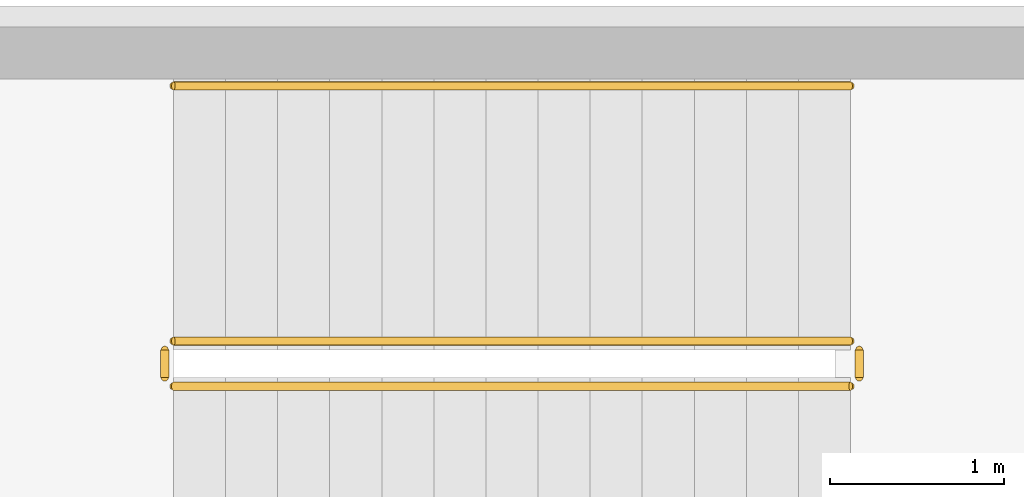
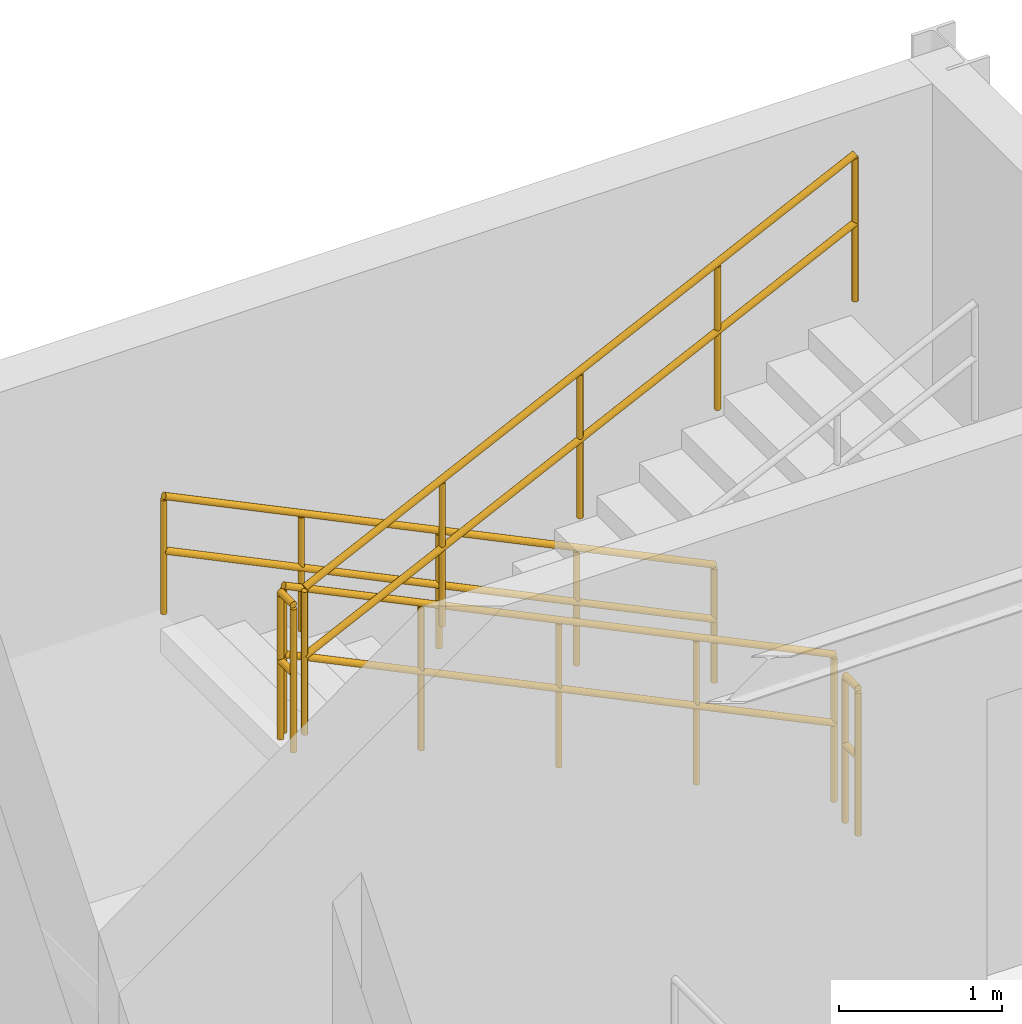
# One storey, part 70 of 70: 5 railings.
"""IFC4 building model written with IfcOpenShell, lengths in metres."""

from ifc_helpers import new_model, si_unit, derived_unit, direction, frame, origin, origin_2d, place, context, subcontext, project, spatial, circle, extrude, material, type_object, element, save


model = new_model("IFC4")

# Units and contexts
model_context = context("Model", 3, precision=1e-05, world=origin(), true_north=direction((0.0, 1.0)))
body_context = subcontext(model_context, "Body", "Model", "MODEL_VIEW")
ifc_project = project(units=[si_unit("LENGTHUNIT", "METRE"), si_unit("AREAUNIT", "SQUARE_METRE"), si_unit("VOLUMEUNIT", "CUBIC_METRE"), si_unit("PLANEANGLEUNIT", "RADIAN"), si_unit("MASSUNIT", "GRAM", prefix="KILO"), derived_unit("THERMALTRANSMITTANCEUNIT", [(si_unit("POWERUNIT", "WATT"), 1), (si_unit("AREAUNIT", "SQUARE_METRE"), -1), (si_unit("THERMODYNAMICTEMPERATUREUNIT", "KELVIN"), -1)])], contexts=[model_context])

# Site, building, storey
site_placement = place(None, origin())
site = spatial("IfcSite", under=ifc_project, at=site_placement, CompositionType="ELEMENT")
building_placement = place(site_placement, origin())
building = spatial("IfcBuilding", under=site, at=building_placement, Name="Yasenodar Specialist Clinic", CompositionType="ELEMENT")
storey_placement = place(building_placement, frame((0.0, 0.0, 13.199951171875)))
storey = spatial("IfcBuildingStorey", under=building, at=storey_placement, Name="L03", CompositionType="ELEMENT", Elevation=13.199951171875)

# Railings
ifc_material_1 = material(Name="Steel S355 Painted Stair Guardrail", Category="steel")
railing_type_1 = type_object("IfcRailingType", Name="RL-ST-GRD", PredefinedType="GUARDRAIL", material=ifc_material_1)
railing_1_placement = place(storey_placement, frame((119.929931640625, 109.7900390625, 0.144775390625)))
element("IfcRailing", 1, at=railing_1_placement, inside=storey, type_object=railing_type_1, Name="L03 ST-05 stair guard 1", PredefinedType="GUARDRAIL", context=body_context, shape_type="SweptSolid", body=[
    extrude(circle(Radius=0.02392578125, at=origin_2d()), frame((0.0, 0.0, 1.09619140625), z_axis=(-0.900763166376, 0.0, 0.434310623978), x_axis=(0.0, -1.0, 0.0)), (0.0, 0.0, 1.0), 4.32958984375),
    extrude(circle(Radius=0.02392578125, at=origin_2d()), frame((0.0, 0.0, 0.58251953125), z_axis=(-0.900763166376, 0.0, 0.434310623978), x_axis=(0.0, -1.0, 0.0)), (0.0, 0.0, 1.0), 4.32958984375),
    extrude(circle(Radius=0.02099609375, at=origin_2d()), origin(), (0.0, 0.0, 1.0), 1.072021484375),
    extrude(circle(Radius=0.02099609375, at=origin_2d()), frame((-0.97509765625, 0.0, 0.47021484375)), (0.0, 0.0, 1.0), 1.072021484375),
    extrude(circle(Radius=0.02099609375, at=origin_2d()), frame((-1.949951171875, 0.0, 0.940185546875)), (0.0, 0.0, 1.0), 1.072021484375),
    extrude(circle(Radius=0.02099609375, at=origin_2d()), frame((-2.9248046875, 0.0, 1.41015625)), (0.0, 0.0, 1.0), 1.072021484375),
    extrude(circle(Radius=0.02099609375, at=origin_2d()), frame((-3.89990234375, 0.0, 1.88037109375)), (0.0, 0.0, 1.0), 1.072021484375),
])
railing_2_placement = place(storey_placement, frame((115.97998046875, 109.739990234375, 2.025146484375)))
element("IfcRailing", 2, at=railing_2_placement, inside=storey, type_object=railing_type_1, Name="L03 ST-05 stair guard 2", PredefinedType="GUARDRAIL", context=body_context, shape_type="SweptSolid", body=[
    extrude(circle(Radius=0.02392578125, at=origin_2d()), frame((0.0, 0.0, 1.09619140625), z_axis=(0.0, -1.0, 0.0), x_axis=(1.0, 0.0, 0.0)), (0.0, 0.0, 1.0), 0.159912109375),
    extrude(circle(Radius=0.02392578125, at=origin_2d()), frame((0.0, 0.0, 0.58251953125), z_axis=(0.0, -1.0, 0.0), x_axis=(1.0, 0.0, 0.0)), (0.0, 0.0, 1.0), 0.159912109375),
    extrude(circle(Radius=0.02099609375, at=origin_2d()), origin(), (0.0, 0.0, 1.0), 1.072021484375),
    extrude(circle(Radius=0.02099609375, at=origin_2d()), frame((0.0, -0.159912109375, 0.0)), (0.0, 0.0, 1.0), 1.072021484375),
])
railing_3_placement = place(storey_placement, frame((116.030029296875, 109.530029296875, 2.169677734375)))
element("IfcRailing", 3, at=railing_3_placement, inside=storey, type_object=railing_type_1, Name="L03 ST-05 stair guard 3", PredefinedType="GUARDRAIL", context=body_context, shape_type="SweptSolid", body=[
    extrude(circle(Radius=0.02392578125, at=origin_2d()), frame((0.0, 0.0, 1.09619140625), z_axis=(0.900763166376, 0.0, 0.434310623978), x_axis=(0.0, 1.0, 0.0)), (0.0, 0.0, 1.0), 4.32958984375),
    extrude(circle(Radius=0.02392578125, at=origin_2d()), frame((0.0, 0.0, 0.58251953125), z_axis=(0.900763166376, 0.0, 0.434310623978), x_axis=(0.0, 1.0, 0.0)), (0.0, 0.0, 1.0), 4.32958984375),
    extrude(circle(Radius=0.02099609375, at=origin_2d()), origin(), (0.0, 0.0, 1.0), 1.072021484375),
    extrude(circle(Radius=0.02099609375, at=origin_2d()), frame((0.97509765625, 0.0, 0.47021484375)), (0.0, 0.0, 1.0), 1.072021484375),
    extrude(circle(Radius=0.02099609375, at=origin_2d()), frame((1.949951171875, 0.0, 0.940185546875)), (0.0, 0.0, 1.0), 1.072021484375),
    extrude(circle(Radius=0.02099609375, at=origin_2d()), frame((2.9248046875, 0.0, 1.41015625)), (0.0, 0.0, 1.0), 1.072021484375),
    extrude(circle(Radius=0.02099609375, at=origin_2d()), frame((3.89990234375, 0.0, 1.88037109375)), (0.0, 0.0, 1.0), 1.072021484375),
])
railing_4_placement = place(storey_placement, frame((119.97998046875, 109.739990234375, 0.0)))
element("IfcRailing", 4, at=railing_4_placement, inside=storey, type_object=railing_type_1, Name="L03 ST-05 stair guard 4", PredefinedType="GUARDRAIL", context=body_context, shape_type="SweptSolid", body=[
    extrude(circle(Radius=0.02392578125, at=origin_2d()), frame((0.0, 0.0, 1.09619140625), z_axis=(0.0, -1.0, 0.0), x_axis=(1.0, 0.0, 0.0)), (0.0, 0.0, 1.0), 0.159912109375),
    extrude(circle(Radius=0.02392578125, at=origin_2d()), frame((0.0, 0.0, 0.58251953125), z_axis=(0.0, -1.0, 0.0), x_axis=(1.0, 0.0, 0.0)), (0.0, 0.0, 1.0), 0.159912109375),
    extrude(circle(Radius=0.02099609375, at=origin_2d()), origin(), (0.0, 0.0, 1.0), 1.072021484375),
    extrude(circle(Radius=0.02099609375, at=origin_2d()), frame((0.0, -0.159912109375, 0.0)), (0.0, 0.0, 1.0), 1.072021484375),
])
ifc_material_2 = material(Name="Brushed Stainless Steel Handrail", Category="steel")
railing_type_2 = type_object("IfcRailingType", Name="RL-ST-HND", PredefinedType="HANDRAIL", material=ifc_material_2)
railing_5_placement = place(storey_placement, frame((119.929931640625, 111.260009765625, 0.144775390625)))
element("IfcRailing", 5, at=railing_5_placement, inside=storey, type_object=railing_type_2, Name="L03 ST-05 stair handrail 1", PredefinedType="HANDRAIL", context=body_context, shape_type="SweptSolid", body=[
    extrude(circle(Radius=0.02392578125, at=origin_2d()), frame((0.0, 0.0, 0.8759765625), z_axis=(-0.900763166376, 0.0, 0.434310623978), x_axis=(0.0, -1.0, 0.0)), (0.0, 0.0, 1.0), 4.32958984375),
    extrude(circle(Radius=0.02392578125, at=origin_2d()), frame((0.0, 0.0, 0.468017578125), z_axis=(-0.900763166376, 0.0, 0.434310623978), x_axis=(0.0, -1.0, 0.0)), (0.0, 0.0, 1.0), 4.32958984375),
    extrude(circle(Radius=0.02099609375, at=origin_2d()), origin(), (0.0, 0.0, 1.0), 0.851806640625),
    extrude(circle(Radius=0.02099609375, at=origin_2d()), frame((-0.97509765625, 0.0, 0.47021484375)), (0.0, 0.0, 1.0), 0.851806640625),
    extrude(circle(Radius=0.02099609375, at=origin_2d()), frame((-1.949951171875, 0.0, 0.940185546875)), (0.0, 0.0, 1.0), 0.851806640625),
    extrude(circle(Radius=0.02099609375, at=origin_2d()), frame((-2.9248046875, 0.0, 1.41015625)), (0.0, 0.0, 1.0), 0.851806640625),
    extrude(circle(Radius=0.02099609375, at=origin_2d()), frame((-3.89990234375, 0.0, 1.88037109375)), (0.0, 0.0, 1.0), 0.851806640625),
])

save(model, "model.ifc")
